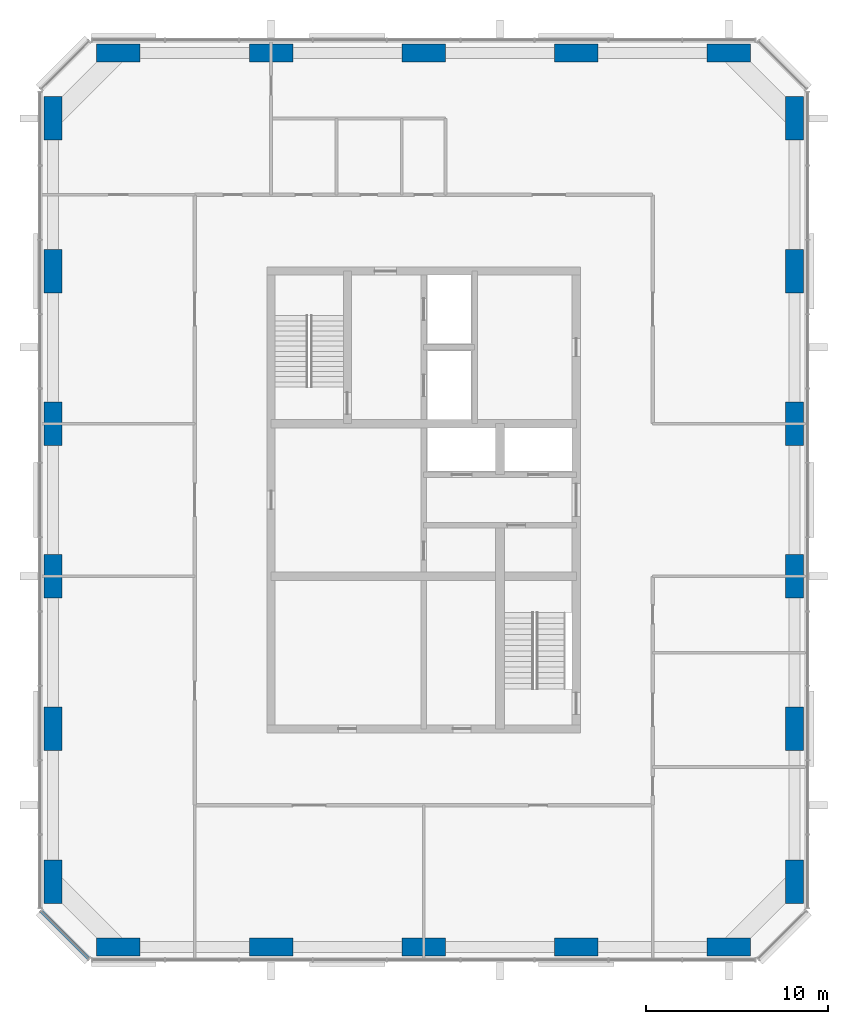
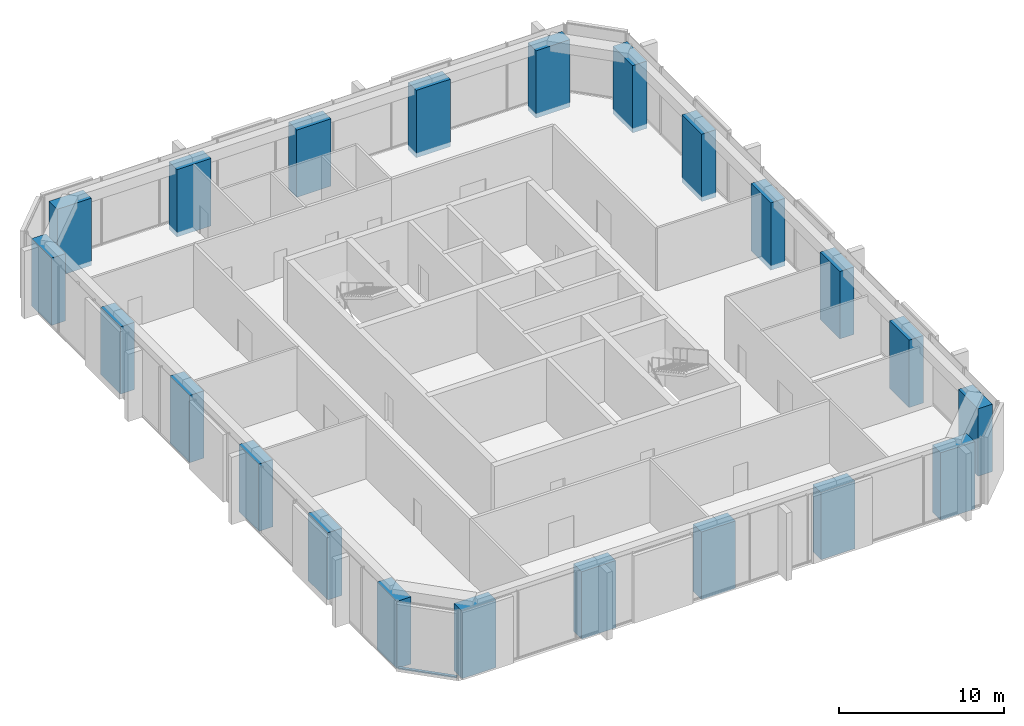
# One storey, part 1 of 9: 22 columns, 1 member, 1 element without a shape of its own.
"""IFC4 building model written with IfcOpenShell, lengths in metres."""

from ifc_helpers import new_model, si_unit, direction, frame, origin, origin_2d, place, context, subcontext, project, spatial, rectangle, extrude, material, material_profile, profile_set, type_object, element, aggregate, save


model = new_model("IFC4")

# Units and contexts
model_context = context("Model", 3, precision=1e-05, world=origin(), true_north=direction((0.0, 1.0)))
body_context = subcontext(model_context, "Body", "Model", "MODEL_VIEW")
ifc_project = project(units=[si_unit("LENGTHUNIT", "METRE"), si_unit("AREAUNIT", "SQUARE_METRE"), si_unit("VOLUMEUNIT", "CUBIC_METRE"), si_unit("PLANEANGLEUNIT", "RADIAN"), si_unit("MASSUNIT", "GRAM", prefix="KILO")], contexts=[model_context])

# Site, building, storey
site_placement = place(None, origin())
site = spatial("IfcSite", under=ifc_project, at=site_placement, CompositionType="ELEMENT")
building_placement = place(site_placement, origin())
building = spatial("IfcBuilding", under=site, at=building_placement, Name="Dunama Terrace Hotel", CompositionType="ELEMENT")
storey_placement = place(building_placement, frame((0.0, 0.0, 284.10009765625)))
storey = spatial("IfcBuildingStorey", under=building, at=storey_placement, Name="L73", CompositionType="ELEMENT", Elevation=284.10009765625)

# Columns
ifc_material_1 = material(Name="Concrete C50/60", Category="concrete")
ifc_material_profile_1 = material_profile(ifc_material_1, rectangle(XDim=1.0, YDim=2.39990234375, at=origin_2d()), Name="RC 1000x2400")
ifc_profile_set_1 = profile_set([ifc_material_profile_1], Name="Concrete C50/60")
column_type_1 = type_object("IfcColumnType", Name="Column RC 1000x2400", PredefinedType="COLUMN", material=ifc_profile_set_1)
for number, where, z_axis, x_axis, name in (
    (1, (13.199951171875, 8.39990234375, -0.35009765625), (0.0, 0.0, 1.0), (1.0, 0.0, 0.0), "Column L73 +13.2/+8.4"),
    (2, (13.199951171875, 16.800048828125, -0.35009765625), (0.0, 0.0, 1.0), (1.0, 0.0, 0.0), "Column L73 +13.2/+16.8"),
    (3, (13.199951171875, 25.199951171875, -0.35009765625), (0.0, 0.0, 1.0), (1.0, 0.0, 0.0), "Column L73 +13.2/+25.2"),
    (4, (13.199951171875, 33.60009765625, -0.35009765625), (0.0, 0.0, 1.0), (1.0, 0.0, 0.0), "Column L73 +13.2/+33.6"),
    (5, (13.199951171875, 42.0, -0.35009765625), (0.0, 0.0, 1.0), (1.0, 0.0, 0.0), "Column L73 +13.2/+42.0"),
    (6, (13.199951171875, 50.39990234375, -0.35009765625), (0.0, 0.0, 1.0), (1.0, 0.0, 0.0), "Column L73 +13.2/+50.4"),
    (7, (54.0, 8.39990234375, -0.35009765625), (0.0, 0.0, 1.0), (1.0, 0.0, 0.0), "Column L73 +54.0/+8.4"),
    (8, (54.0, 16.800048828125, -0.35009765625), (0.0, 0.0, 1.0), (1.0, 0.0, 0.0), "Column L73 +54.0/+16.8"),
    (9, (54.0, 25.199951171875, -0.35009765625), (0.0, 0.0, 1.0), (1.0, 0.0, 0.0), "Column L73 +54.0/+25.2"),
    (10, (54.0, 33.60009765625, -0.35009765625), (0.0, 0.0, 1.0), (1.0, 0.0, 0.0), "Column L73 +54.0/+33.6"),
    (11, (54.0, 42.0, -0.35009765625), (0.0, 0.0, 1.0), (1.0, 0.0, 0.0), "Column L73 +54.0/+42.0"),
    (12, (54.0, 50.39990234375, -0.35009765625), (0.0, 0.0, 1.0), (1.0, 0.0, 0.0), "Column L73 +54.0/+50.4"),
):
    element("IfcColumn", number, at=place(storey_placement, frame(where, z_axis=z_axis, x_axis=x_axis)), inside=storey, type_object=column_type_1, Name=name, PredefinedType="COLUMN", context=body_context, shape_type="SweptSolid", body=[
        extrude(rectangle(XDim=1.0, YDim=2.39990234375, at=origin_2d()), origin(), (0.0, 0.0, 1.0), 5.0),
    ])
ifc_material_2 = material(Name="Concrete C50/60", Category="concrete")
ifc_material_profile_2 = material_profile(ifc_material_2, rectangle(XDim=2.39990234375, YDim=1.0, at=origin_2d()), Name="RC 2400x1000")
ifc_profile_set_2 = profile_set([ifc_material_profile_2], Name="Concrete C50/60")
column_type_2 = type_object("IfcColumnType", Name="Column RC 2400x1000", PredefinedType="COLUMN", material=ifc_profile_set_2)
for number, where, z_axis, x_axis, name in (
    (13, (16.800048828125, 4.800048828125, -0.35009765625), (0.0, 0.0, 1.0), (1.0, 0.0, 0.0), "Column L73 +16.8/+4.8"),
    (14, (16.800048828125, 54.0, -0.35009765625), (0.0, 0.0, 1.0), (1.0, 0.0, 0.0), "Column L73 +16.8/+54.0"),
    (15, (25.199951171875, 4.800048828125, -0.35009765625), (0.0, 0.0, 1.0), (1.0, 0.0, 0.0), "Column L73 +25.2/+4.8"),
    (16, (25.199951171875, 54.0, -0.35009765625), (0.0, 0.0, 1.0), (1.0, 0.0, 0.0), "Column L73 +25.2/+54.0"),
    (17, (33.60009765625, 4.800048828125, -0.35009765625), (0.0, 0.0, 1.0), (1.0, 0.0, 0.0), "Column L73 +33.6/+4.8"),
    (18, (33.60009765625, 54.0, -0.35009765625), (0.0, 0.0, 1.0), (1.0, 0.0, 0.0), "Column L73 +33.6/+54.0"),
    (19, (42.0, 4.800048828125, -0.35009765625), (0.0, 0.0, 1.0), (1.0, 0.0, 0.0), "Column L73 +42.0/+4.8"),
    (20, (42.0, 54.0, -0.35009765625), (0.0, 0.0, 1.0), (1.0, 0.0, 0.0), "Column L73 +42.0/+54.0"),
    (21, (50.39990234375, 4.800048828125, -0.35009765625), (0.0, 0.0, 1.0), (1.0, 0.0, 0.0), "Column L73 +50.4/+4.8"),
    (22, (50.39990234375, 54.0, -0.35009765625), (0.0, 0.0, 1.0), (1.0, 0.0, 0.0), "Column L73 +50.4/+54.0"),
):
    element("IfcColumn", number, at=place(storey_placement, frame(where, z_axis=z_axis, x_axis=x_axis)), inside=storey, type_object=column_type_2, Name=name, PredefinedType="COLUMN", context=body_context, shape_type="SweptSolid", body=[
        extrude(rectangle(XDim=2.39990234375, YDim=1.0, at=origin_2d()), origin(), (0.0, 0.0, 1.0), 5.0),
    ])

# Curtain wall, member
ifc_material_3 = material(Name="Aluminium curtain wall system", Category="aluminium")
curtain_wall_type = type_object("IfcCurtainWallType", Name="Unitised fritted glass wall CW-D", PredefinedType="NOTDEFINED", material=ifc_material_3)
curtain_wall_placement = place(storey_placement, origin())
curtain_wall = element("IfcCurtainWall", 23, at=curtain_wall_placement, inside=storey, type_object=curtain_wall_type, Name="Unitised fritted glass wall CW-D L73", PredefinedType="NOTDEFINED")
ifc_material_4 = material(Name="Aluminium transom", Category="aluminium")
ifc_material_profile_3 = material_profile(ifc_material_4, rectangle(XDim=0.199951171875, YDim=0.0849609375, at=origin_2d()), Name="CWD TRANSOM 200X85")
ifc_profile_set_3 = profile_set([ifc_material_profile_3], Name="Aluminium transom")
member_type = type_object("IfcMemberType", Name="CWD transom 200x85", PredefinedType="USERDEFINED", material=ifc_profile_set_3)
member_placement = place(storey_placement, frame((12.56494140625, 6.76611328125, 0.04248046875), z_axis=(0.707106781187, -0.707106781187, 0.0), x_axis=(0.707106781187, 0.707106781187, 0.0)))
member = element("IfcMember", 24, at=member_placement, type_object=member_type, Name="CWD transom", ObjectType="TRANSOM", PredefinedType="USERDEFINED", context=body_context, shape_type="SweptSolid", body=[
    extrude(rectangle(XDim=0.199951171875, YDim=0.0849609375, at=origin_2d()), origin(), (0.0, 0.0, 1.0), 3.678466796875),
])
aggregate(curtain_wall, [member])

save(model, "model.ifc")
